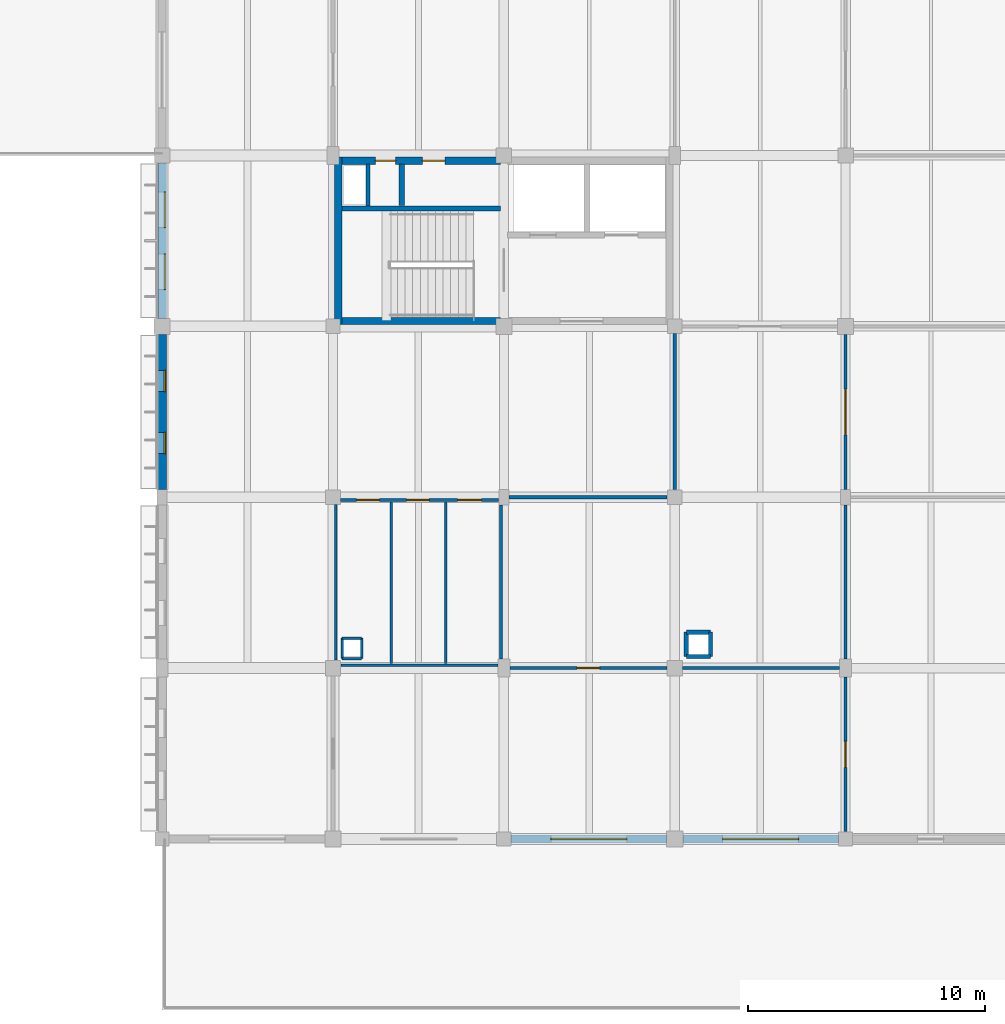
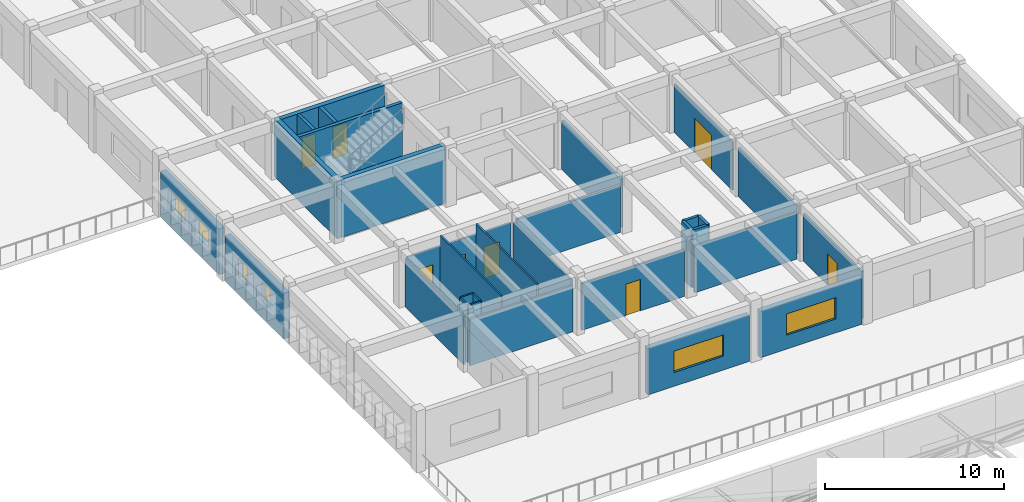
# One storey, part 92 of 103: 31 walls, 8 doors, 6 windows, 14 openings.
"""IFC4 building model written with IfcOpenShell, lengths in metres."""

from ifc_helpers import new_model, si_unit, direction, frame, frame_2d, origin, place, context, subcontext, project, spatial, rectangle, extrude, material, layer, layer_set, type_object, element, fill, save


model = new_model("IFC4")

# Units and contexts
model_context = context("Model", 3, precision=1e-05, world=origin(), true_north=direction((0.0, 1.0)))
body_context = subcontext(model_context, "Body", "Model", "MODEL_VIEW")
ifc_project = project(units=[si_unit("LENGTHUNIT", "METRE"), si_unit("AREAUNIT", "SQUARE_METRE"), si_unit("VOLUMEUNIT", "CUBIC_METRE"), si_unit("PLANEANGLEUNIT", "RADIAN"), si_unit("MASSUNIT", "GRAM", prefix="KILO")], contexts=[model_context])

# Site, building, storey
site_placement = place(None, origin())
site = spatial("IfcSite", under=ifc_project, at=site_placement, CompositionType="ELEMENT")
building_placement = place(site_placement, origin())
building = spatial("IfcBuilding", under=site, at=building_placement, Name="Thalmaran Polytechnic", CompositionType="ELEMENT")
storey_placement = place(building_placement, frame((0.0, 0.0, 14.39990234375)))
storey = spatial("IfcBuildingStorey", under=building, at=storey_placement, Name="L03", CompositionType="ELEMENT", Elevation=14.39990234375)

# Wall, openings, windows
ifc_material_1 = material(Name="Precast concrete C40/50", Category="concrete")
ifc_layer_1 = layer(ifc_material_1, 0.360107421875, Name="Precast concrete C40/50")
ifc_layer_set_1 = layer_set([ifc_layer_1], Name="Precast concrete C40/50")
wall_type_1 = type_object("IfcWallType", Name="WL-EW01", PredefinedType="STANDARD", material=ifc_layer_set_1)
wall_1_placement = place(storey_placement, frame((129.60009765625, 79.52001953125, 0.0), z_axis=(0.0, 0.0, 1.0), x_axis=(0.0, 1.0, 0.0)))
wall_1 = element("IfcWall", 1, at=wall_1_placement, inside=storey, type_object=wall_type_1, Name="Exterior Precast Facade Wall L03-026", PredefinedType="STANDARD", context=body_context, shape_type="SweptSolid", body=[
    extrude(rectangle(XDim=6.5400390625, YDim=0.360107421875, at=frame_2d((3.27001953125, 0.0))), origin(), (0.0, 0.0, 1.0), 3.110107421875),
])
opening_1_placement = place(wall_1_placement, frame((1.511962890625, 0.0, 1.14990234375)))
opening_1 = element("IfcOpeningElement", 2, at=opening_1_placement, cuts=wall_1, Name="Opening PW13", PredefinedType="OPENING", context=body_context, shape_type="SweptSolid", body=[
    extrude(rectangle(XDim=0.89990234375, YDim=1.300048828125, at=frame_2d((0.449951171875, 0.64990234375))), frame((0.0, 0.18994140625, 0.0), z_axis=(0.0, -1.0, 0.0), x_axis=(1.0, 0.0, 0.0)), (0.0, 0.0, 1.0), 0.380126953125),
])
opening_2_placement = place(wall_1_placement, frame((4.1279296875, 0.0, 1.14990234375)))
opening_2 = element("IfcOpeningElement", 3, at=opening_2_placement, cuts=wall_1, Name="Opening PW13", PredefinedType="OPENING", context=body_context, shape_type="SweptSolid", body=[
    extrude(rectangle(XDim=0.89990234375, YDim=1.300048828125, at=frame_2d((0.449951171875, 0.64990234375))), frame((0.0, 0.18994140625, 0.0), z_axis=(0.0, -1.0, 0.0), x_axis=(1.0, 0.0, 0.0)), (0.0, 0.0, 1.0), 0.380126953125),
])
ifc_material_2 = material(Name="Thermally broken aluminium and double low-E glass", Category="aluminium")
window_type_1 = type_object("IfcWindowType", Name="WN-PW03", PartitioningType="SINGLE_PANEL", PredefinedType="WINDOW", material=ifc_material_2)
window_1_placement = place(opening_1_placement, origin())
window_1 = element("IfcWindow", 4, at=window_1_placement, inside=storey, type_object=window_type_1, Name="Deep-Set Solar-Screened Window W-0415", OverallHeight=1.300048828125, OverallWidth=0.89990234375, PartitioningType="SINGLE_PANEL", PredefinedType="WINDOW", context=body_context, shape_type="SweptSolid", body=[
    extrude(rectangle(XDim=0.89990234375, YDim=1.300048828125, at=frame_2d((0.449951171875, 0.64990234375))), frame((0.0, -0.080078125, 0.0), z_axis=(0.0, -1.0, 0.0), x_axis=(1.0, 0.0, 0.0)), (0.0, 0.0, 1.0), 0.06005859375),
])
fill(opening_1, window_1)
window_2_placement = place(opening_2_placement, origin())
window_2 = element("IfcWindow", 5, at=window_2_placement, inside=storey, type_object=window_type_1, Name="Deep-Set Solar-Screened Window W-0416", OverallHeight=1.300048828125, OverallWidth=0.89990234375, PartitioningType="SINGLE_PANEL", PredefinedType="WINDOW", context=body_context, shape_type="SweptSolid", body=[
    extrude(rectangle(XDim=0.89990234375, YDim=1.300048828125, at=frame_2d((0.449951171875, 0.64990234375))), frame((0.0, -0.080078125, 0.0), z_axis=(0.0, -1.0, 0.0), x_axis=(1.0, 0.0, 0.0)), (0.0, 0.0, 1.0), 0.06005859375),
])
fill(opening_2, window_2)

wall_2_placement = place(storey_placement, frame((129.60009765625, 86.739990234375, 0.0), z_axis=(0.0, 0.0, 1.0), x_axis=(0.0, 1.0, 0.0)))
wall_2 = element("IfcWall", 6, at=wall_2_placement, inside=storey, type_object=wall_type_1, Name="Exterior Precast Facade Wall L03-027", PredefinedType="STANDARD", context=body_context, shape_type="SweptSolid", body=[
    extrude(rectangle(XDim=6.534912109375, YDim=0.360107421875, at=frame_2d((3.267578125, 0.0))), origin(), (0.0, 0.0, 1.0), 3.110107421875),
])
opening_3_placement = place(wall_2_placement, frame((1.21044921875, 0.0, 1.14990234375)))
opening_3 = element("IfcOpeningElement", 7, at=opening_3_placement, cuts=wall_2, Name="Opening PW14", PredefinedType="OPENING", context=body_context, shape_type="SweptSolid", body=[
    extrude(rectangle(XDim=1.5, YDim=1.199951171875, at=frame_2d((0.75, 0.60009765625))), frame((0.0, 0.18994140625, 0.0), z_axis=(0.0, -1.0, 0.0), x_axis=(1.0, 0.0, 0.0)), (0.0, 0.0, 1.0), 0.380126953125),
])
opening_4_placement = place(wall_2_placement, frame((3.824462890625, 0.0, 1.14990234375)))
opening_4 = element("IfcOpeningElement", 8, at=opening_4_placement, cuts=wall_2, Name="Opening PW14", PredefinedType="OPENING", context=body_context, shape_type="SweptSolid", body=[
    extrude(rectangle(XDim=1.5, YDim=1.199951171875, at=frame_2d((0.75, 0.60009765625))), frame((0.0, 0.18994140625, 0.0), z_axis=(0.0, -1.0, 0.0), x_axis=(1.0, 0.0, 0.0)), (0.0, 0.0, 1.0), 0.380126953125),
])
window_type_2 = type_object("IfcWindowType", Name="WN-PW04", PartitioningType="DOUBLE_PANEL_VERTICAL", PredefinedType="WINDOW", material=ifc_material_2)
window_3_placement = place(opening_3_placement, origin())
window_3 = element("IfcWindow", 9, at=window_3_placement, inside=storey, type_object=window_type_2, Name="Deep-Set Solar-Screened Window W-0417", OverallHeight=1.199951171875, OverallWidth=1.5, PartitioningType="SINGLE_PANEL", PredefinedType="WINDOW", context=body_context, shape_type="SweptSolid", body=[
    extrude(rectangle(XDim=1.5, YDim=1.199951171875, at=frame_2d((0.75, 0.60009765625))), frame((0.0, -0.080078125, 0.0), z_axis=(0.0, -1.0, 0.0), x_axis=(1.0, 0.0, 0.0)), (0.0, 0.0, 1.0), 0.06005859375),
])
fill(opening_3, window_3)
window_4_placement = place(opening_4_placement, origin())
window_4 = element("IfcWindow", 10, at=window_4_placement, inside=storey, type_object=window_type_2, Name="Deep-Set Solar-Screened Window W-0418", OverallHeight=1.199951171875, OverallWidth=1.5, PartitioningType="SINGLE_PANEL", PredefinedType="WINDOW", context=body_context, shape_type="SweptSolid", body=[
    extrude(rectangle(XDim=1.5, YDim=1.199951171875, at=frame_2d((0.75, 0.60009765625))), frame((0.0, -0.080078125, 0.0), z_axis=(0.0, -1.0, 0.0), x_axis=(1.0, 0.0, 0.0)), (0.0, 0.0, 1.0), 0.06005859375),
])
fill(opening_4, window_4)

# Wall, opening, window
ifc_layer_2 = layer(ifc_material_1, 0.330078125, Name="Precast concrete C40/50")
ifc_layer_set_2 = layer_set([ifc_layer_2], Name="Precast concrete C40/50")
wall_type_2 = type_object("IfcWallType", Name="WL-EW02", PredefinedType="STANDARD", material=ifc_layer_set_2)
wall_3_placement = place(storey_placement, frame((158.10009765625, 64.800048828125, 0.0), z_axis=(0.0, 0.0, 1.0), x_axis=(-1.0, 0.0, 0.0)))
wall_3 = element("IfcWall", 11, at=wall_3_placement, inside=storey, type_object=wall_type_2, Name="Terrace Access Wall L03-020", PredefinedType="STANDARD", context=body_context, shape_type="SweptSolid", body=[
    extrude(rectangle(XDim=6.56005859375, YDim=0.330078125, at=frame_2d((3.280029296875, 0.0))), origin(), (0.0, 0.0, 1.0), 3.16015625),
])
opening_5_placement = place(wall_3_placement, frame((1.679931640625, 0.0, 0.949951171875)))
opening_5 = element("IfcOpeningElement", 12, at=opening_5_placement, cuts=wall_3, Name="Opening RW04", PredefinedType="OPENING", context=body_context, shape_type="SweptSolid", body=[
    extrude(rectangle(XDim=3.199951171875, YDim=1.449951171875, at=frame_2d((1.60009765625, 0.72509765625))), frame((0.0, 0.175048828125, 0.0), z_axis=(0.0, -1.0, 0.0), x_axis=(1.0, 0.0, 0.0)), (0.0, 0.0, 1.0), 0.35009765625),
])
window_type_3 = type_object("IfcWindowType", Name="WN-RW04", PartitioningType="DOUBLE_PANEL_VERTICAL", PredefinedType="WINDOW", material=ifc_material_2)
window_5_placement = place(opening_5_placement, origin())
window_5 = element("IfcWindow", 13, at=window_5_placement, inside=storey, type_object=window_type_3, Name="Terrace Ribbon Window W-0407", OverallHeight=1.449951171875, OverallWidth=3.199951171875, PartitioningType="SINGLE_PANEL", PredefinedType="WINDOW", context=body_context, shape_type="SweptSolid", body=[
    extrude(rectangle(XDim=3.199951171875, YDim=1.449951171875, at=frame_2d((1.60009765625, 0.72509765625))), frame((0.0, 0.030029296875, 0.0), z_axis=(0.0, -1.0, 0.0), x_axis=(1.0, 0.0, 0.0)), (0.0, 0.0, 1.0), 0.06005859375),
])
fill(opening_5, window_5)

wall_4_placement = place(storey_placement, frame((150.860107421875, 64.800048828125, 0.0), z_axis=(0.0, 0.0, 1.0), x_axis=(-1.0, 0.0, 0.0)))
wall_4 = element("IfcWall", 14, at=wall_4_placement, inside=storey, type_object=wall_type_2, Name="Terrace Access Wall L03-021", PredefinedType="STANDARD", context=body_context, shape_type="SweptSolid", body=[
    extrude(rectangle(XDim=6.56005859375, YDim=0.330078125, at=frame_2d((3.280029296875, 0.0))), origin(), (0.0, 0.0, 1.0), 3.16015625),
])
opening_6_placement = place(wall_4_placement, frame((1.679931640625, 0.0, 0.949951171875)))
opening_6 = element("IfcOpeningElement", 15, at=opening_6_placement, cuts=wall_4, Name="Opening RW04", PredefinedType="OPENING", context=body_context, shape_type="SweptSolid", body=[
    extrude(rectangle(XDim=3.199951171875, YDim=1.449951171875, at=frame_2d((1.60009765625, 0.72509765625))), frame((0.0, 0.175048828125, 0.0), z_axis=(0.0, -1.0, 0.0), x_axis=(1.0, 0.0, 0.0)), (0.0, 0.0, 1.0), 0.35009765625),
])
window_6_placement = place(opening_6_placement, origin())
window_6 = element("IfcWindow", 16, at=window_6_placement, inside=storey, type_object=window_type_3, Name="Terrace Ribbon Window W-0408", OverallHeight=1.449951171875, OverallWidth=3.199951171875, PartitioningType="SINGLE_PANEL", PredefinedType="WINDOW", context=body_context, shape_type="SweptSolid", body=[
    extrude(rectangle(XDim=3.199951171875, YDim=1.449951171875, at=frame_2d((1.60009765625, 0.72509765625))), frame((0.0, 0.030029296875, 0.0), z_axis=(0.0, -1.0, 0.0), x_axis=(1.0, 0.0, 0.0)), (0.0, 0.0, 1.0), 0.06005859375),
])
fill(opening_6, window_6)

# Walls
ifc_material_3 = material(Name="Autoclaved aerated masonry", Category="masonry")
ifc_layer_3 = layer(ifc_material_3, 0.22998046875, Name="Autoclaved aerated masonry")
ifc_layer_set_3 = layer_set([ifc_layer_3], Name="Autoclaved aerated masonry")
wall_type_3 = type_object("IfcWallType", Name="WL-IW02", PredefinedType="PARTITIONING", material=ifc_layer_set_3)
wall_5_placement = place(storey_placement, frame((139.699951171875, 91.5, 0.0), z_axis=(0.0, 0.0, 1.0), x_axis=(0.0, 1.0, 0.0)))
element("IfcWall", 17, at=wall_5_placement, inside=storey, type_object=wall_type_3, Name="Core C5 Riser Partition L03", PredefinedType="PARTITIONING", context=body_context, shape_type="SweptSolid", body=[
    extrude(rectangle(XDim=1.739990234375, YDim=0.22998046875, at=frame_2d((0.8701171875, 0.0))), origin(), (0.0, 0.0, 1.0), 3.940185546875),
])
ifc_layer_4 = layer(ifc_material_3, 0.179931640625, Name="Autoclaved aerated masonry")
ifc_layer_set_4 = layer_set([ifc_layer_4], Name="Autoclaved aerated masonry")
wall_type_4 = type_object("IfcWallType", Name="WL-IW04", PredefinedType="PARTITIONING", material=ifc_layer_set_4)
wall_6_placement = place(storey_placement, frame((138.280029296875, 91.47998046875, 0.0), z_axis=(0.0, 0.0, 1.0), x_axis=(0.0, 1.0, 0.0)))
element("IfcWall", 18, at=wall_6_placement, inside=storey, type_object=wall_type_4, Name="Core C5 Riser Shaft Enclosure Wall L03", PredefinedType="PARTITIONING", context=body_context, shape_type="SweptSolid", body=[
    extrude(rectangle(XDim=1.760009765625, YDim=0.179931640625, at=frame_2d((0.8798828125, 0.0))), origin(), (0.0, 0.0, 1.0), 3.940185546875),
])
for number, where, z_axis, x_axis, name in (
    (19, (151.68994140625, 72.489990234375, 0.0), (0.0, 0.0, 1.0), (1.0, 0.0, 0.0), "Fume Exhaust Riser Shaft Wall L03 (21,10)-S"),
    (20, (152.7099609375, 72.489990234375, 0.0), (0.0, 0.0, 1.0), (0.0, 1.0, 0.0), "Fume Exhaust Riser Shaft Wall L03 (21,10)-E"),
    (21, (152.7099609375, 73.510009765625, 0.0), (0.0, 0.0, 1.0), (-1.0, 0.0, 0.0), "Fume Exhaust Riser Shaft Wall L03 (21,10)-N"),
    (22, (151.68994140625, 73.510009765625, 0.0), (0.0, 0.0, 1.0), (0.0, -1.0, 0.0), "Fume Exhaust Riser Shaft Wall L03 (21,10)-W"),
):
    element("IfcWall", number, at=place(storey_placement, frame(where, z_axis=z_axis, x_axis=x_axis)), inside=storey, type_object=wall_type_4, Name=name, PredefinedType="PARTITIONING", context=body_context, shape_type="SweptSolid", body=[
        extrude(rectangle(XDim=1.02001953125, YDim=0.179931640625, at=frame_2d((0.510009765625, 0.0))), origin(), (0.0, 0.0, 1.0), 3.940185546875),
    ])
ifc_material_4 = material(Name="Gypsum acoustic partition")
ifc_layer_5 = layer(ifc_material_4, 0.159912109375, Name="Gypsum acoustic partition")
ifc_layer_set_5 = layer_set([ifc_layer_5], Name="Gypsum acoustic partition")
wall_type_5 = type_object("IfcWallType", Name="WL-IW05", PredefinedType="PARTITIONING", material=ifc_layer_set_5)
wall_7_placement = place(storey_placement, frame((144.215087890625, 79.199951171875, 0.0), z_axis=(0.0, 0.0, 1.0), x_axis=(1.0, 0.0, 0.0)))
element("IfcWall", 23, at=wall_7_placement, inside=storey, type_object=wall_type_5, Name="Interior Partition IW05 L03-075", PredefinedType="PARTITIONING", context=body_context, shape_type="SweptSolid", body=[
    extrude(rectangle(XDim=6.669921875, YDim=0.159912109375, at=frame_2d((3.3349609375, 0.0))), origin(), (0.0, 0.0, 1.0), 3.215087890625),
])
wall_8_placement = place(storey_placement, frame((151.199951171875, 79.514892578125, 0.0), z_axis=(0.0, 0.0, 1.0), x_axis=(0.0, 1.0, 0.0)))
element("IfcWall", 24, at=wall_8_placement, inside=storey, type_object=wall_type_5, Name="Interior Partition IW05 L03-076", PredefinedType="PARTITIONING", context=body_context, shape_type="SweptSolid", body=[
    extrude(rectangle(XDim=6.580078125, YDim=0.159912109375, at=frame_2d((3.2900390625, 0.0))), origin(), (0.0, 0.0, 1.0), 3.30517578125),
])

# Wall, opening, door
ifc_layer_6 = layer(ifc_material_4, 0.1298828125, Name="Gypsum acoustic partition")
ifc_layer_set_6 = layer_set([ifc_layer_6], Name="Gypsum acoustic partition")
wall_type_6 = type_object("IfcWallType", Name="WL-IW07", PredefinedType="PARTITIONING", material=ifc_layer_set_6)
wall_9_placement = place(storey_placement, frame((144.2548828125, 72.0, 0.0), z_axis=(0.0, 0.0, 1.0), x_axis=(1.0, 0.0, 0.0)))
wall_9 = element("IfcWall", 25, at=wall_9_placement, inside=storey, type_object=wall_type_6, Name="Interior Partition IW07 L03-074", PredefinedType="PARTITIONING", context=body_context, shape_type="SweptSolid", body=[
    extrude(rectangle(XDim=6.615234375, YDim=0.1298828125, at=frame_2d((3.3076171875, 0.0))), origin(), (0.0, 0.0, 1.0), 3.190185546875),
])
opening_7_placement = place(wall_9_placement, frame((2.83251953125, 0.0, 0.0)))
opening_7 = element("IfcOpeningElement", 26, at=opening_7_placement, cuts=wall_9, Name="Opening D-L03-024-5-03-1", PredefinedType="OPENING", context=body_context, shape_type="SweptSolid", body=[
    extrude(rectangle(XDim=0.949951171875, YDim=2.14990234375, at=frame_2d((0.47509765625, 1.074951171875))), frame((0.0, 0.074951171875, 0.0), z_axis=(0.0, -1.0, 0.0), x_axis=(1.0, 0.0, 0.0)), (0.0, 0.0, 1.0), 0.14990234375),
])
ifc_material_5 = material(Name="Powder-coated fire-rated steel", Category="steel")
door_type_1 = type_object("IfcDoorType", Name="DR-FD08", OperationType="NOTDEFINED", PredefinedType="DOOR", material=ifc_material_5)
door_1_placement = place(opening_7_placement, origin())
door_1 = element("IfcDoor", 27, at=door_1_placement, inside=storey, type_object=door_type_1, Name="Robotics and Automation Laboratory L03-03 Door 1", OperationType="SINGLE_SWING_RIGHT", OverallHeight=2.14990234375, OverallWidth=0.949951171875, PredefinedType="DOOR", context=body_context, shape_type="SweptSolid", body=[
    extrude(rectangle(XDim=0.949951171875, YDim=2.14990234375, at=frame_2d((0.47509765625, 1.074951171875))), frame((0.0, 0.02490234375, 0.0), z_axis=(0.0, -1.0, 0.0), x_axis=(1.0, 0.0, 0.0)), (0.0, 0.0, 1.0), 0.050048828125),
])
fill(opening_7, door_1)

wall_10_placement = place(storey_placement, frame((158.39990234375, 65.10498046875, 0.0), z_axis=(0.0, 0.0, 1.0), x_axis=(0.0, 1.0, 0.0)))
wall_10 = element("IfcWall", 28, at=wall_10_placement, inside=storey, type_object=wall_type_6, Name="Interior Partition IW07 L03-082", PredefinedType="PARTITIONING", context=body_context, shape_type="SweptSolid", body=[
    extrude(rectangle(XDim=6.51513671875, YDim=0.1298828125, at=frame_2d((3.257568359375, 0.0))), origin(), (0.0, 0.0, 1.0), 3.22021484375),
])
opening_8_placement = place(wall_10_placement, frame((2.70751953125, 0.0, 0.0)))
opening_8 = element("IfcOpeningElement", 29, at=opening_8_placement, cuts=wall_10, Name="Opening D-L03-023-5-02-1", PredefinedType="OPENING", context=body_context, shape_type="SweptSolid", body=[
    extrude(rectangle(XDim=1.10009765625, YDim=2.14990234375, at=frame_2d((0.550048828125, 1.074951171875))), frame((0.0, 0.074951171875, 0.0), z_axis=(0.0, -1.0, 0.0), x_axis=(1.0, 0.0, 0.0)), (0.0, 0.0, 1.0), 0.14990234375),
])
door_type_2 = type_object("IfcDoorType", Name="DR-FD07", OperationType="NOTDEFINED", PredefinedType="DOOR", material=ifc_material_5)
door_2_placement = place(opening_8_placement, origin())
door_2 = element("IfcDoor", 30, at=door_2_placement, inside=storey, type_object=door_type_2, Name="Process Engineering Laboratory L03-02 Door 1", OperationType="SINGLE_SWING_LEFT", OverallHeight=2.14990234375, OverallWidth=1.10009765625, PredefinedType="DOOR", context=body_context, shape_type="SweptSolid", body=[
    extrude(rectangle(XDim=1.10009765625, YDim=2.14990234375, at=frame_2d((0.550048828125, 1.074951171875))), frame((0.0, 0.02490234375, 0.0), z_axis=(0.0, -1.0, 0.0), x_axis=(1.0, 0.0, 0.0)), (0.0, 0.0, 1.0), 0.050048828125),
])
fill(opening_8, door_2)

# Walls
wall_11_placement = place(storey_placement, frame((158.39990234375, 72.3798828125, 0.0), z_axis=(0.0, 0.0, 1.0), x_axis=(0.0, 1.0, 0.0)))
element("IfcWall", 31, at=wall_11_placement, inside=storey, type_object=wall_type_6, Name="Interior Partition IW07 L03-084", PredefinedType="PARTITIONING", context=body_context, shape_type="SweptSolid", body=[
    extrude(rectangle(XDim=6.4951171875, YDim=0.1298828125, at=frame_2d((3.24755859375, 0.0))), origin(), (0.0, 0.0, 1.0), 3.31005859375),
])
ifc_layer_7 = layer(ifc_material_4, 0.114990234375, Name="Gypsum acoustic partition")
ifc_layer_set_7 = layer_set([ifc_layer_7], Name="Gypsum acoustic partition")
wall_type_7 = type_object("IfcWallType", Name="WL-IW08", PredefinedType="PARTITIONING", material=ifc_layer_set_7)
wall_12_placement = place(storey_placement, frame((137.1298828125, 72.1201171875, 0.0), z_axis=(0.0, 0.0, 1.0), x_axis=(1.0, 0.0, 0.0)))
element("IfcWall", 32, at=wall_12_placement, inside=storey, type_object=wall_type_7, Name="Sanitary Core Wall L03-W3-S", PredefinedType="PARTITIONING", context=body_context, shape_type="SweptSolid", body=[
    extrude(rectangle(XDim=6.615234375, YDim=0.114990234375, at=frame_2d((3.3076171875, 0.0))), origin(), (0.0, 0.0, 1.0), 3.175048828125),
])

# Wall, openings, doors
wall_13_placement = place(storey_placement, frame((137.114990234375, 79.080078125, 0.0), z_axis=(0.0, 0.0, 1.0), x_axis=(1.0, 0.0, 0.0)))
wall_13 = element("IfcWall", 33, at=wall_13_placement, inside=storey, type_object=wall_type_7, Name="Sanitary Core Wall L03-W3-N", PredefinedType="PARTITIONING", context=body_context, shape_type="SweptSolid", body=[
    extrude(rectangle(XDim=6.669921875, YDim=0.114990234375, at=frame_2d((3.3349609375, 0.0))), origin(), (0.0, 0.0, 1.0), 3.2001953125),
])
opening_9_placement = place(wall_13_placement, frame((0.68505859375, 0.0, 0.0)))
opening_9 = element("IfcOpeningElement", 34, at=opening_9_placement, cuts=wall_13, Name="Opening WD-L03-W3-1", PredefinedType="OPENING", context=body_context, shape_type="SweptSolid", body=[
    extrude(rectangle(XDim=0.949951171875, YDim=2.10009765625, at=frame_2d((0.47509765625, 1.050048828125))), frame((0.0, 0.0673828125, 0.0), z_axis=(0.0, -1.0, 0.0), x_axis=(1.0, 0.0, 0.0)), (0.0, 0.0, 1.0), 0.135009765625),
])
opening_10_placement = place(wall_13_placement, frame((2.784912109375, 0.0, 0.0)))
opening_10 = element("IfcOpeningElement", 35, at=opening_10_placement, cuts=wall_13, Name="Opening WD-L03-W3-2", PredefinedType="OPENING", context=body_context, shape_type="SweptSolid", body=[
    extrude(rectangle(XDim=0.949951171875, YDim=2.10009765625, at=frame_2d((0.47509765625, 1.050048828125))), frame((0.0, 0.0673828125, 0.0), z_axis=(0.0, -1.0, 0.0), x_axis=(1.0, 0.0, 0.0)), (0.0, 0.0, 1.0), 0.135009765625),
])
opening_11_placement = place(wall_13_placement, frame((4.93505859375, 0.0, 0.0)))
opening_11 = element("IfcOpeningElement", 36, at=opening_11_placement, cuts=wall_13, Name="Opening WD-L03-W3-3", PredefinedType="OPENING", context=body_context, shape_type="SweptSolid", body=[
    extrude(rectangle(XDim=1.0, YDim=2.14990234375, at=frame_2d((0.5, 1.074951171875))), frame((0.0, 0.0673828125, 0.0), z_axis=(0.0, -1.0, 0.0), x_axis=(1.0, 0.0, 0.0)), (0.0, 0.0, 1.0), 0.135009765625),
])
ifc_material_6 = material(Name="Acoustic hardwood", Category="wood")
door_type_3 = type_object("IfcDoorType", Name="DR-ID06", OperationType="NOTDEFINED", PredefinedType="DOOR", material=ifc_material_6)
door_3_placement = place(opening_11_placement, origin())
door_3 = element("IfcDoor", 37, at=door_3_placement, inside=storey, type_object=door_type_3, Name="Accessible WC Door L03-W3", OperationType="SINGLE_SWING_RIGHT", OverallHeight=2.14990234375, OverallWidth=1.0, PredefinedType="DOOR", context=body_context, shape_type="SweptSolid", body=[
    extrude(rectangle(XDim=1.0, YDim=2.14990234375, at=frame_2d((0.5, 1.074951171875))), frame((0.0, 0.02490234375, 0.0), z_axis=(0.0, -1.0, 0.0), x_axis=(1.0, 0.0, 0.0)), (0.0, 0.0, 1.0), 0.050048828125),
])
fill(opening_11, door_3)
ifc_material_7 = material(Name="Moisture-resistant laminate timber", Category="wood")
door_type_4 = type_object("IfcDoorType", Name="DR-ID07", OperationType="NOTDEFINED", PredefinedType="DOOR", material=ifc_material_7)
door_4_placement = place(opening_9_placement, origin())
door_4 = element("IfcDoor", 38, at=door_4_placement, inside=storey, type_object=door_type_4, Name="Male WC Door L03-W3", OperationType="SINGLE_SWING_RIGHT", OverallHeight=2.10009765625, OverallWidth=0.949951171875, PredefinedType="DOOR", context=body_context, shape_type="SweptSolid", body=[
    extrude(rectangle(XDim=0.949951171875, YDim=2.10009765625, at=frame_2d((0.47509765625, 1.050048828125))), frame((0.0, 0.02490234375, 0.0), z_axis=(0.0, -1.0, 0.0), x_axis=(1.0, 0.0, 0.0)), (0.0, 0.0, 1.0), 0.050048828125),
])
fill(opening_9, door_4)
door_5_placement = place(opening_10_placement, origin())
door_5 = element("IfcDoor", 39, at=door_5_placement, inside=storey, type_object=door_type_4, Name="Female WC Door L03-W3", OperationType="SINGLE_SWING_LEFT", OverallHeight=2.10009765625, OverallWidth=0.949951171875, PredefinedType="DOOR", context=body_context, shape_type="SweptSolid", body=[
    extrude(rectangle(XDim=0.949951171875, YDim=2.10009765625, at=frame_2d((0.47509765625, 1.050048828125))), frame((0.0, 0.02490234375, 0.0), z_axis=(0.0, -1.0, 0.0), x_axis=(1.0, 0.0, 0.0)), (0.0, 0.0, 1.0), 0.050048828125),
])
fill(opening_10, door_5)

# Walls
wall_14_placement = place(storey_placement, frame((136.919921875, 72.330078125, 0.0), z_axis=(0.0, 0.0, 1.0), x_axis=(0.0, 1.0, 0.0)))
element("IfcWall", 40, at=wall_14_placement, inside=storey, type_object=wall_type_7, Name="Sanitary Side Wall L03-W3-W", PredefinedType="PARTITIONING", context=body_context, shape_type="SweptSolid", body=[
    extrude(rectangle(XDim=6.554931640625, YDim=0.114990234375, at=frame_2d((3.27734375, 0.0))), origin(), (0.0, 0.0, 1.0), 3.28515625),
])
wall_15_placement = place(storey_placement, frame((143.8798828125, 72.3798828125, 0.0), z_axis=(0.0, 0.0, 1.0), x_axis=(0.0, 1.0, 0.0)))
element("IfcWall", 41, at=wall_15_placement, inside=storey, type_object=wall_type_7, Name="Sanitary Side Wall L03-W3-E", PredefinedType="PARTITIONING", context=body_context, shape_type="SweptSolid", body=[
    extrude(rectangle(XDim=6.4951171875, YDim=0.114990234375, at=frame_2d((3.24755859375, 0.0))), origin(), (0.0, 0.0, 1.0), 3.31005859375),
])
wall_16_placement = place(storey_placement, frame((151.530029296875, 72.0, 0.0), z_axis=(0.0, 0.0, 1.0), x_axis=(1.0, 0.0, 0.0)))
element("IfcWall", 42, at=wall_16_placement, inside=storey, type_object=wall_type_7, Name="Interior Partition IW08 L03-083", PredefinedType="PARTITIONING", context=body_context, shape_type="SweptSolid", body=[
    extrude(rectangle(XDim=6.614990234375, YDim=0.114990234375, at=frame_2d((3.3076171875, 0.0))), origin(), (0.0, 0.0, 1.0), 3.195068359375),
])

# Wall, opening, door
wall_17_placement = place(storey_placement, frame((158.39990234375, 79.52490234375, 0.0), z_axis=(0.0, 0.0, 1.0), x_axis=(0.0, 1.0, 0.0)))
wall_17 = element("IfcWall", 43, at=wall_17_placement, inside=storey, type_object=wall_type_7, Name="Interior Partition IW08 L03-085", PredefinedType="PARTITIONING", context=body_context, shape_type="SweptSolid", body=[
    extrude(rectangle(XDim=6.530029296875, YDim=0.114990234375, at=frame_2d((3.26513671875, 0.0))), origin(), (0.0, 0.0, 1.0), 3.30517578125),
])
opening_12_placement = place(wall_17_placement, frame((2.304931640625, 0.0, 0.0)))
opening_12 = element("IfcOpeningElement", 44, at=opening_12_placement, cuts=wall_17, Name="Opening D-L03-025-5-04-1", PredefinedType="OPENING", context=body_context, shape_type="SweptSolid", body=[
    extrude(rectangle(XDim=1.919921875, YDim=2.35009765625, at=frame_2d((0.9599609375, 1.175048828125))), frame((0.0, 0.0673828125, 0.0), z_axis=(0.0, -1.0, 0.0), x_axis=(1.0, 0.0, 0.0)), (0.0, 0.0, 1.0), 0.135009765625),
])
ifc_material_8 = material(Name="Acoustic hardwood and vision glass", Category="wood")
door_type_5 = type_object("IfcDoorType", Name="DR-ZD01", OperationType="NOTDEFINED", PredefinedType="DOOR", material=ifc_material_8)
door_6_placement = place(opening_12_placement, origin())
door_6 = element("IfcDoor", 45, at=door_6_placement, inside=storey, type_object=door_type_5, Name="Marine Systems Laboratory L03-04 Door 1", OperationType="SINGLE_SWING_LEFT", OverallHeight=2.35009765625, OverallWidth=1.919921875, PredefinedType="DOOR", context=body_context, shape_type="SweptSolid", body=[
    extrude(rectangle(XDim=1.919921875, YDim=2.35009765625, at=frame_2d((0.9599609375, 1.175048828125))), frame((0.0, 0.02490234375, 0.0), z_axis=(0.0, -1.0, 0.0), x_axis=(1.0, 0.0, 0.0)), (0.0, 0.0, 1.0), 0.050048828125),
])
fill(opening_12, door_6)

# Walls
ifc_material_9 = material(Name="Moisture-resistant partition")
ifc_layer_8 = layer(ifc_material_9, 0.10009765625, Name="Moisture-resistant partition")
ifc_layer_set_8 = layer_set([ifc_layer_8], Name="Moisture-resistant partition")
wall_type_8 = type_object("IfcWallType", Name="WL-IW09", PredefinedType="PARTITIONING", material=ifc_layer_set_8)
for number, where, z_axis, x_axis, name in (
    (46, (139.25, 72.199951171875, 0.0), (0.0, 0.0, 1.0), (0.0, 1.0, 0.0), "WC Partition L03-W3-1"),
    (47, (141.550048828125, 72.199951171875, 0.0), (0.0, 0.0, 1.0), (0.0, 1.0, 0.0), "WC Partition L03-W3-2"),
):
    element("IfcWall", number, at=place(storey_placement, frame(where, z_axis=z_axis, x_axis=x_axis)), inside=storey, type_object=wall_type_8, Name=name, PredefinedType="PARTITIONING", context=body_context, shape_type="SweptSolid", body=[
        extrude(rectangle(XDim=6.800048828125, YDim=0.10009765625, at=frame_2d((3.39990234375, 0.0))), origin(), (0.0, 0.0, 1.0), 3.940185546875),
    ])
wall_18_placement = place(storey_placement, frame((137.18994140625, 72.39990234375, 0.0), z_axis=(0.0, 0.0, 1.0), x_axis=(1.0, 0.0, 0.0)))
element("IfcWall", 48, at=wall_18_placement, inside=storey, type_object=wall_type_8, Name="Plumbing Riser Chase Wall L03-W3-S", PredefinedType="PARTITIONING", context=body_context, shape_type="SweptSolid", body=[
    extrude(rectangle(XDim=0.820068359375, YDim=0.10009765625, at=frame_2d((0.41015625, 0.0))), origin(), (0.0, 0.0, 1.0), 3.940185546875),
])
wall_19_placement = place(storey_placement, frame((138.010009765625, 72.39990234375, 0.0), z_axis=(0.0, 0.0, 1.0), x_axis=(0.0, 1.0, 0.0)))
element("IfcWall", 49, at=wall_19_placement, inside=storey, type_object=wall_type_8, Name="Plumbing Riser Chase Wall L03-W3-E", PredefinedType="PARTITIONING", context=body_context, shape_type="SweptSolid", body=[
    extrude(rectangle(XDim=0.860107421875, YDim=0.10009765625, at=frame_2d((0.43017578125, 0.0))), origin(), (0.0, 0.0, 1.0), 3.940185546875),
])
wall_20_placement = place(storey_placement, frame((138.010009765625, 73.260009765625, 0.0), z_axis=(0.0, 0.0, 1.0), x_axis=(-1.0, 0.0, 0.0)))
element("IfcWall", 50, at=wall_20_placement, inside=storey, type_object=wall_type_8, Name="Plumbing Riser Chase Wall L03-W3-N", PredefinedType="PARTITIONING", context=body_context, shape_type="SweptSolid", body=[
    extrude(rectangle(XDim=0.820068359375, YDim=0.10009765625, at=frame_2d((0.41015625, 0.0))), origin(), (0.0, 0.0, 1.0), 3.940185546875),
])
wall_21_placement = place(storey_placement, frame((137.18994140625, 73.260009765625, 0.0), z_axis=(0.0, 0.0, 1.0), x_axis=(0.0, -1.0, 0.0)))
element("IfcWall", 51, at=wall_21_placement, inside=storey, type_object=wall_type_8, Name="Plumbing Riser Chase Wall L03-W3-W", PredefinedType="PARTITIONING", context=body_context, shape_type="SweptSolid", body=[
    extrude(rectangle(XDim=0.860107421875, YDim=0.10009765625, at=frame_2d((0.43017578125, 0.0))), origin(), (0.0, 0.0, 1.0), 3.940185546875),
])
ifc_material_10 = material(Name="Concrete C50/60", Category="concrete")
ifc_layer_9 = layer(ifc_material_10, 0.300048828125, Name="Concrete C50/60")
ifc_layer_set_9 = layer_set([ifc_layer_9], Name="Concrete C50/60")
wall_type_9 = type_object("IfcWallType", Name="WL-SW04", PredefinedType="SHEAR", material=ifc_layer_set_9)
wall_22_placement = place(storey_placement, frame((137.169921875, 86.6201171875, 0.0), z_axis=(0.0, 0.0, 1.0), x_axis=(1.0, 0.0, 0.0)))
element("IfcWall", 52, at=wall_22_placement, inside=storey, type_object=wall_type_9, Name="Core C5 South Shear Wall L03", PredefinedType="SHEAR", context=body_context, shape_type="SweptSolid", body=[
    extrude(rectangle(XDim=6.68017578125, YDim=0.300048828125, at=frame_2d((3.340087890625, 0.0))), origin(), (0.0, 0.0, 1.0), 3.940185546875),
])
wall_23_placement = place(storey_placement, frame((137.02001953125, 93.530029296875, 0.0), z_axis=(0.0, 0.0, 1.0), x_axis=(0.0, -1.0, 0.0)))
element("IfcWall", 53, at=wall_23_placement, inside=storey, type_object=wall_type_9, Name="Core C5 West Shear Wall L03", PredefinedType="SHEAR", context=body_context, shape_type="SweptSolid", body=[
    extrude(rectangle(XDim=7.06005859375, YDim=0.300048828125, at=frame_2d((3.530029296875, 0.0))), origin(), (0.0, 0.0, 1.0), 3.940185546875),
])

# Wall, openings, doors
wall_24_placement = place(storey_placement, frame((137.169921875, 93.3798828125, 0.0), z_axis=(0.0, 0.0, 1.0), x_axis=(1.0, 0.0, 0.0)))
wall_24 = element("IfcWall", 54, at=wall_24_placement, inside=storey, type_object=wall_type_9, Name="Core C5 North Shear Wall L03", PredefinedType="SHEAR", context=body_context, shape_type="SweptSolid", body=[
    extrude(rectangle(XDim=6.68017578125, YDim=0.300048828125, at=frame_2d((3.340087890625, 0.0))), origin(), (0.0, 0.0, 1.0), 3.940185546875),
])
opening_13_placement = place(wall_24_placement, frame((1.419921875, 0.0, 0.0)))
opening_13 = element("IfcOpeningElement", 55, at=opening_13_placement, cuts=wall_24, Name="Opening DR-C5-L03-R", PredefinedType="OPENING", context=body_context, shape_type="SweptSolid", body=[
    extrude(rectangle(XDim=0.85009765625, YDim=2.10009765625, at=frame_2d((0.425048828125, 1.050048828125))), frame((0.0, 0.159912109375, 0.0), z_axis=(0.0, -1.0, 0.0), x_axis=(1.0, 0.0, 0.0)), (0.0, 0.0, 1.0), 0.320068359375),
])
opening_14_placement = place(wall_24_placement, frame((3.39990234375, 0.0, 0.0)))
opening_14 = element("IfcOpeningElement", 56, at=opening_14_placement, cuts=wall_24, Name="Opening ED-C5-L03-E", PredefinedType="OPENING", context=body_context, shape_type="SweptSolid", body=[
    extrude(rectangle(XDim=0.949951171875, YDim=2.14990234375, at=frame_2d((0.47509765625, 1.074951171875))), frame((0.0, 0.159912109375, 0.0), z_axis=(0.0, -1.0, 0.0), x_axis=(1.0, 0.0, 0.0)), (0.0, 0.0, 1.0), 0.320068359375),
])
door_7_placement = place(opening_14_placement, origin())
door_7 = element("IfcDoor", 57, at=door_7_placement, inside=storey, type_object=door_type_1, Name="Electrical Riser Door C5 L03", OperationType="SINGLE_SWING_RIGHT", OverallHeight=2.14990234375, OverallWidth=0.949951171875, PredefinedType="DOOR", context=body_context, shape_type="SweptSolid", body=[
    extrude(rectangle(XDim=0.949951171875, YDim=2.14990234375, at=frame_2d((0.47509765625, 1.074951171875))), frame((0.0, 0.02490234375, 0.0), z_axis=(0.0, -1.0, 0.0), x_axis=(1.0, 0.0, 0.0)), (0.0, 0.0, 1.0), 0.050048828125),
])
fill(opening_14, door_7)
door_type_6 = type_object("IfcDoorType", Name="DR-FD09", OperationType="NOTDEFINED", PredefinedType="DOOR", material=ifc_material_5)
door_8_placement = place(opening_13_placement, origin())
door_8 = element("IfcDoor", 58, at=door_8_placement, inside=storey, type_object=door_type_6, Name="Riser Access Fire Door C5 L03", OperationType="SINGLE_SWING_RIGHT", OverallHeight=2.10009765625, OverallWidth=0.85009765625, PredefinedType="DOOR", context=body_context, shape_type="SweptSolid", body=[
    extrude(rectangle(XDim=0.85009765625, YDim=2.10009765625, at=frame_2d((0.425048828125, 1.050048828125))), frame((0.0, 0.02490234375, 0.0), z_axis=(0.0, -1.0, 0.0), x_axis=(1.0, 0.0, 0.0)), (0.0, 0.0, 1.0), 0.050048828125),
])
fill(opening_13, door_8)

# Wall
wall_25_placement = place(storey_placement, frame((137.169921875, 91.360107421875, 0.0), z_axis=(0.0, 0.0, 1.0), x_axis=(1.0, 0.0, 0.0)))
element("IfcWall", 59, at=wall_25_placement, inside=storey, type_object=wall_type_9, Name="Core C5 Stair Partition L03", PredefinedType="SHEAR", context=body_context, shape_type="SweptSolid", body=[
    extrude(rectangle(XDim=6.68017578125, YDim=0.219970703125, at=frame_2d((3.340087890625, 0.0))), origin(), (0.0, 0.0, 1.0), 3.940185546875),
])

save(model, "model.ifc")
